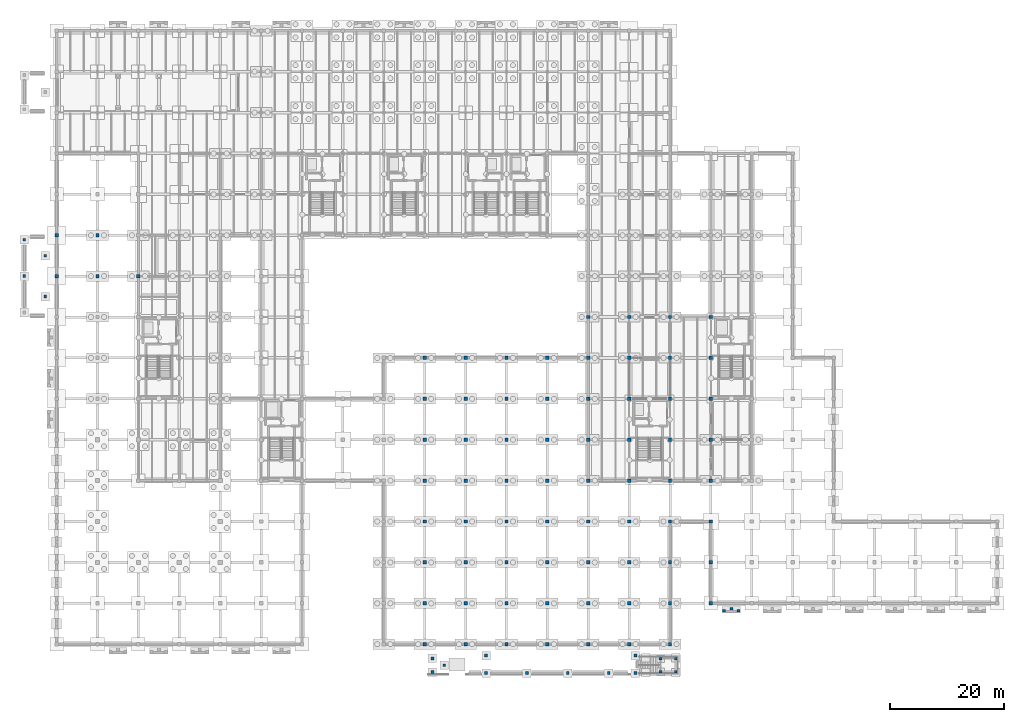
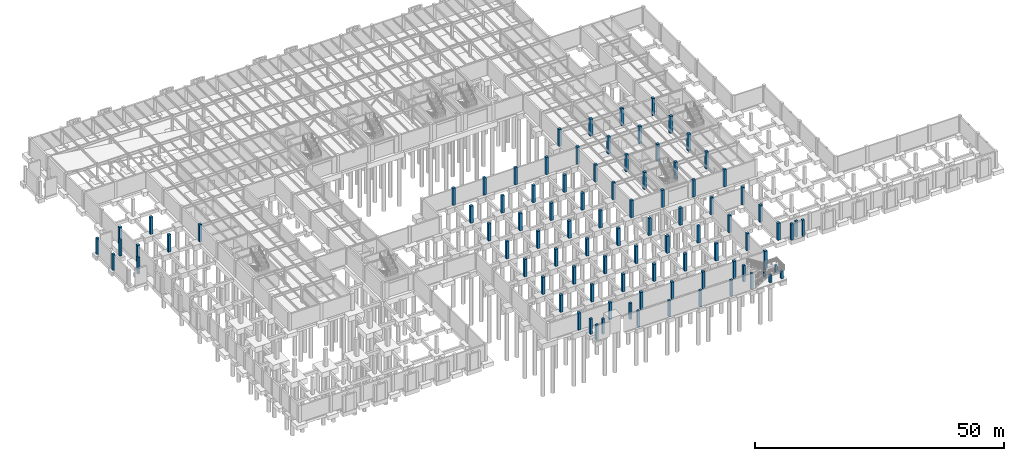
# One storey, part 13 of 46: 93 columns.
"""IFC4 building model written with IfcOpenShell, lengths in metres."""

from ifc_helpers import new_model, si_unit, direction, frame, origin, origin_2d, place, context, subcontext, project, spatial, rectangle, extrude, material, material_profile, profile_set, type_object, element, save


model = new_model("IFC4")

# Units and contexts
model_context = context("Model", 3, precision=1e-05, world=origin(), true_north=direction((0.0, 1.0)))
body_context = subcontext(model_context, "Body", "Model", "MODEL_VIEW")
ifc_project = project(units=[si_unit("LENGTHUNIT", "METRE"), si_unit("AREAUNIT", "SQUARE_METRE"), si_unit("VOLUMEUNIT", "CUBIC_METRE"), si_unit("PLANEANGLEUNIT", "RADIAN"), si_unit("MASSUNIT", "GRAM", prefix="KILO")], contexts=[model_context])

# Site, building, storey
site_placement = place(None, origin())
site = spatial("IfcSite", under=ifc_project, at=site_placement, CompositionType="ELEMENT")
building_placement = place(site_placement, origin())
building = spatial("IfcBuilding", under=site, at=building_placement, Name="Sillqori Civic Hall", CompositionType="ELEMENT")
storey_placement = place(building_placement, frame((0.0, 0.0, -4.199951171875)))
storey = spatial("IfcBuildingStorey", under=building, at=storey_placement, Name="B01", CompositionType="ELEMENT", Elevation=-4.199951171875)

# Columns
ifc_material = material(Name="Concrete C35/45 (H35)", Category="concrete")
ifc_material_profile_1 = material_profile(ifc_material, rectangle(XDim=0.5, YDim=0.5, at=origin_2d()), Name="RC 500x500")
ifc_profile_set_1 = profile_set([ifc_material_profile_1], Name="Concrete C35/45 (H35)")
column_type_1 = type_object("IfcColumnType", Name="COL-RC500", PredefinedType="COLUMN", material=ifc_profile_set_1)
for number, where, z_axis, x_axis, name in (
    (1, (1.5, 72.0, 0.0), (0.0, 0.0, 1.0), (1.0, 0.0, 0.0), "Truck loading dock grade apron subgrade pier 2"),
    (2, (1.5, 78.39990234375, 0.0), (0.0, 0.0, 1.0), (1.0, 0.0, 0.0), "Truck loading dock grade apron subgrade pier 3"),
    (3, (5.199951171875, 68.39990234375, 0.0), (0.0, 0.0, 1.0), (1.0, 0.0, 0.0), "Truck loading dock grade apron subgrade pier 4"),
    (4, (5.199951171875, 75.60009765625, 0.0), (0.0, 0.0, 1.0), (1.0, 0.0, 0.0), "Truck loading dock grade apron subgrade pier 5"),
    (5, (82.800048828125, 2.10009765625, 0.0), (0.0, 0.0, 1.0), (1.0, 0.0, 0.0), "Forecourt accessible arrival deck subgrade pier 1"),
    (6, (90.0, 2.10009765625, 0.0), (0.0, 0.0, 1.0), (1.0, 0.0, 0.0), "Forecourt accessible arrival deck subgrade pier 2"),
    (7, (97.199951171875, 2.10009765625, 0.0), (0.0, 0.0, 1.0), (1.0, 0.0, 0.0), "Forecourt accessible arrival deck subgrade pier 3"),
    (8, (104.39990234375, 2.10009765625, 0.0), (0.0, 0.0, 1.0), (1.0, 0.0, 0.0), "Forecourt accessible arrival deck subgrade pier 4"),
    (9, (109.10009765625, 2.10009765625, 0.0), (0.0, 0.0, 1.0), (1.0, 0.0, 0.0), "Forecourt accessible arrival deck subgrade pier 5"),
    (10, (109.10009765625, 5.199951171875, 0.0), (0.0, 0.0, 1.0), (1.0, 0.0, 0.0), "Forecourt accessible arrival deck subgrade pier 6"),
    (11, (82.800048828125, 5.199951171875, 0.0), (0.0, 0.0, 1.0), (1.0, 0.0, 0.0), "Forecourt accessible arrival deck subgrade pier 7"),
):
    element("IfcColumn", number, at=place(storey_placement, frame(where, z_axis=z_axis, x_axis=x_axis)), inside=storey, type_object=column_type_1, Name=name, PredefinedType="COLUMN", context=body_context, shape_type="SweptSolid", body=[
        extrude(rectangle(XDim=0.5, YDim=0.5, at=origin_2d()), origin(), (0.0, 0.0, 1.0), 3.97998046875),
    ])
for number, where, z_axis, x_axis, name in (
    (12, (73.35009765625, 2.300048828125, 0.0), (0.0, 0.0, 1.0), (1.0, 0.0, 0.0), "Forecourt ramp base & lower landing subgrade pier 1"),
    (13, (73.35009765625, 4.699951171875, 0.0), (0.0, 0.0, 1.0), (1.0, 0.0, 0.0), "Forecourt ramp base & lower landing subgrade pier 2"),
    (14, (75.449951171875, 3.5, 0.0), (0.0, 0.0, 1.0), (1.0, 0.0, 0.0), "Forecourt ramp base & lower landing subgrade pier 3"),
):
    element("IfcColumn", number, at=place(storey_placement, frame(where, z_axis=z_axis, x_axis=x_axis)), inside=storey, type_object=column_type_1, Name=name, PredefinedType="COLUMN", context=body_context, shape_type="SweptSolid", body=[
        extrude(rectangle(XDim=0.5, YDim=0.5, at=origin_2d()), origin(), (0.0, 0.0, 1.0), 3.739990234375),
    ])
for number, where, z_axis, x_axis, name in (
    (15, (124.719970703125, 13.080078125, 0.0), (0.0, 0.0, 1.0), (1.0, 0.0, 0.0), "Members Library West Entrance subgrade pier 1"),
    (16, (127.280029296875, 13.080078125, 0.0), (0.0, 0.0, 1.0), (1.0, 0.0, 0.0), "Members Library West Entrance subgrade pier 2"),
    (17, (126.0, 13.43994140625, 0.0), (0.0, 0.0, 1.0), (1.0, 0.0, 0.0), "Members Library West Entrance subgrade pier 3"),
):
    element("IfcColumn", number, at=place(storey_placement, frame(where, z_axis=z_axis, x_axis=x_axis)), inside=storey, type_object=column_type_1, Name=name, PredefinedType="COLUMN", context=body_context, shape_type="SweptSolid", body=[
        extrude(rectangle(XDim=0.5, YDim=0.5, at=origin_2d()), origin(), (0.0, 0.0, 1.0), 3.97998046875),
    ])
for number, where, z_axis, x_axis, name in (
    (18, (113.550048828125, 2.35009765625, 0.0), (0.0, 0.0, 1.0), (1.0, 0.0, 0.0), "Forecourt exterior stair landing pier 1"),
    (19, (113.550048828125, 4.64990234375, 0.0), (0.0, 0.0, 1.0), (1.0, 0.0, 0.0), "Forecourt exterior stair landing pier 2"),
    (20, (116.199951171875, 2.35009765625, 0.0), (0.0, 0.0, 1.0), (1.0, 0.0, 0.0), "Forecourt exterior stair landing pier 3"),
    (21, (116.199951171875, 4.64990234375, 0.0), (0.0, 0.0, 1.0), (1.0, 0.0, 0.0), "Forecourt exterior stair landing pier 4"),
):
    element("IfcColumn", number, at=place(storey_placement, frame(where, z_axis=z_axis, x_axis=x_axis)), inside=storey, type_object=column_type_1, Name=name, PredefinedType="COLUMN", context=body_context, shape_type="SweptSolid", body=[
        extrude(rectangle(XDim=0.5, YDim=0.5, at=origin_2d()), origin(), (0.0, 0.0, 1.0), 1.89990234375),
    ])
ifc_material_profile_2 = material_profile(ifc_material, rectangle(XDim=0.60009765625, YDim=0.60009765625, at=origin_2d()), Name="RC 600x600")
ifc_profile_set_2 = profile_set([ifc_material_profile_2], Name="Concrete C35/45 (H35)")
column_type_2 = type_object("IfcColumnType", Name="COL-RC600", PredefinedType="COLUMN", material=ifc_profile_set_2)
for number, where, z_axis, x_axis, name in (
    (22, (7.199951171875, 72.0, 0.0), (0.0, 0.0, 1.0), (1.0, 0.0, 0.0), "B01 column 1-10"),
    (23, (7.199951171875, 79.199951171875, 0.0), (0.0, 0.0, 1.0), (1.0, 0.0, 0.0), "B01 column 1-11"),
    (24, (14.39990234375, 72.0, 0.0), (0.0, 0.0, 1.0), (1.0, 0.0, 0.0), "B01 column 2-10"),
    (25, (14.39990234375, 79.199951171875, 0.0), (0.0, 0.0, 1.0), (1.0, 0.0, 0.0), "B01 column 2-11"),
    (26, (21.60009765625, 72.0, 0.0), (0.0, 0.0, 1.0), (1.0, 0.0, 0.0), "B01 column 3-10"),
    (27, (72.0, 7.199951171875, 0.0), (0.0, 0.0, 1.0), (1.0, 0.0, 0.0), "B01 column 10-1"),
    (28, (72.0, 14.39990234375, 0.0), (0.0, 0.0, 1.0), (1.0, 0.0, 0.0), "B01 column 10-2"),
    (29, (72.0, 21.60009765625, 0.0), (0.0, 0.0, 1.0), (1.0, 0.0, 0.0), "B01 column 10-3"),
    (30, (72.0, 28.800048828125, 0.0), (0.0, 0.0, 1.0), (1.0, 0.0, 0.0), "B01 column 10-4"),
    (31, (72.0, 36.0, 0.0), (0.0, 0.0, 1.0), (1.0, 0.0, 0.0), "B01 column 10-5"),
    (32, (72.0, 43.199951171875, 0.0), (0.0, 0.0, 1.0), (1.0, 0.0, 0.0), "B01 column 10-6"),
    (33, (72.0, 50.39990234375, 0.0), (0.0, 0.0, 1.0), (1.0, 0.0, 0.0), "B01 column 10-7"),
    (34, (72.0, 57.60009765625, 0.0), (0.0, 0.0, 1.0), (1.0, 0.0, 0.0), "B01 column 10-8"),
    (35, (79.199951171875, 7.199951171875, 0.0), (0.0, 0.0, 1.0), (1.0, 0.0, 0.0), "B01 column 11-1"),
    (36, (79.199951171875, 14.39990234375, 0.0), (0.0, 0.0, 1.0), (1.0, 0.0, 0.0), "B01 column 11-2"),
    (37, (79.199951171875, 21.60009765625, 0.0), (0.0, 0.0, 1.0), (1.0, 0.0, 0.0), "B01 column 11-3"),
    (38, (79.199951171875, 28.800048828125, 0.0), (0.0, 0.0, 1.0), (1.0, 0.0, 0.0), "B01 column 11-4"),
    (39, (79.199951171875, 36.0, 0.0), (0.0, 0.0, 1.0), (1.0, 0.0, 0.0), "B01 column 11-5"),
    (40, (79.199951171875, 43.199951171875, 0.0), (0.0, 0.0, 1.0), (1.0, 0.0, 0.0), "B01 column 11-6"),
    (41, (79.199951171875, 50.39990234375, 0.0), (0.0, 0.0, 1.0), (1.0, 0.0, 0.0), "B01 column 11-7"),
    (42, (79.199951171875, 57.60009765625, 0.0), (0.0, 0.0, 1.0), (1.0, 0.0, 0.0), "B01 column 11-8"),
    (43, (86.39990234375, 7.199951171875, 0.0), (0.0, 0.0, 1.0), (1.0, 0.0, 0.0), "B01 column 12-1"),
    (44, (86.39990234375, 14.39990234375, 0.0), (0.0, 0.0, 1.0), (1.0, 0.0, 0.0), "B01 column 12-2"),
    (45, (86.39990234375, 21.60009765625, 0.0), (0.0, 0.0, 1.0), (1.0, 0.0, 0.0), "B01 column 12-3"),
    (46, (86.39990234375, 28.800048828125, 0.0), (0.0, 0.0, 1.0), (1.0, 0.0, 0.0), "B01 column 12-4"),
    (47, (86.39990234375, 36.0, 0.0), (0.0, 0.0, 1.0), (1.0, 0.0, 0.0), "B01 column 12-5"),
    (48, (86.39990234375, 43.199951171875, 0.0), (0.0, 0.0, 1.0), (1.0, 0.0, 0.0), "B01 column 12-6"),
    (49, (86.39990234375, 50.39990234375, 0.0), (0.0, 0.0, 1.0), (1.0, 0.0, 0.0), "B01 column 12-7"),
    (50, (86.39990234375, 57.60009765625, 0.0), (0.0, 0.0, 1.0), (1.0, 0.0, 0.0), "B01 column 12-8"),
    (51, (93.60009765625, 7.199951171875, 0.0), (0.0, 0.0, 1.0), (1.0, 0.0, 0.0), "B01 column 13-1"),
    (52, (93.60009765625, 14.39990234375, 0.0), (0.0, 0.0, 1.0), (1.0, 0.0, 0.0), "B01 column 13-2"),
    (53, (93.60009765625, 21.60009765625, 0.0), (0.0, 0.0, 1.0), (1.0, 0.0, 0.0), "B01 column 13-3"),
    (54, (93.60009765625, 28.800048828125, 0.0), (0.0, 0.0, 1.0), (1.0, 0.0, 0.0), "B01 column 13-4"),
    (55, (93.60009765625, 36.0, 0.0), (0.0, 0.0, 1.0), (1.0, 0.0, 0.0), "B01 column 13-5"),
    (56, (93.60009765625, 43.199951171875, 0.0), (0.0, 0.0, 1.0), (1.0, 0.0, 0.0), "B01 column 13-6"),
    (57, (93.60009765625, 50.39990234375, 0.0), (0.0, 0.0, 1.0), (1.0, 0.0, 0.0), "B01 column 13-7"),
    (58, (93.60009765625, 57.60009765625, 0.0), (0.0, 0.0, 1.0), (1.0, 0.0, 0.0), "B01 column 13-8"),
    (59, (100.800048828125, 7.199951171875, 0.0), (0.0, 0.0, 1.0), (1.0, 0.0, 0.0), "B01 column 14-1"),
    (60, (100.800048828125, 14.39990234375, 0.0), (0.0, 0.0, 1.0), (1.0, 0.0, 0.0), "B01 column 14-2"),
    (61, (100.800048828125, 21.60009765625, 0.0), (0.0, 0.0, 1.0), (1.0, 0.0, 0.0), "B01 column 14-3"),
    (62, (100.800048828125, 28.800048828125, 0.0), (0.0, 0.0, 1.0), (1.0, 0.0, 0.0), "B01 column 14-4"),
    (63, (100.800048828125, 36.0, 0.0), (0.0, 0.0, 1.0), (1.0, 0.0, 0.0), "B01 column 14-5"),
    (64, (100.800048828125, 43.199951171875, 0.0), (0.0, 0.0, 1.0), (1.0, 0.0, 0.0), "B01 column 14-6"),
    (65, (100.800048828125, 50.39990234375, 0.0), (0.0, 0.0, 1.0), (1.0, 0.0, 0.0), "B01 column 14-7"),
    (66, (100.800048828125, 57.60009765625, 0.0), (0.0, 0.0, 1.0), (1.0, 0.0, 0.0), "B01 column 14-8"),
    (67, (100.800048828125, 64.800048828125, 0.0), (0.0, 0.0, 1.0), (1.0, 0.0, 0.0), "B01 column 14-9"),
    (68, (108.0, 7.199951171875, 0.0), (0.0, 0.0, 1.0), (1.0, 0.0, 0.0), "B01 column 15-1"),
    (69, (108.0, 14.39990234375, 0.0), (0.0, 0.0, 1.0), (1.0, 0.0, 0.0), "B01 column 15-2"),
    (70, (108.0, 21.60009765625, 0.0), (0.0, 0.0, 1.0), (1.0, 0.0, 0.0), "B01 column 15-3"),
    (71, (108.0, 28.800048828125, 0.0), (0.0, 0.0, 1.0), (1.0, 0.0, 0.0), "B01 column 15-4"),
    (72, (108.0, 36.0, 0.0), (0.0, 0.0, 1.0), (1.0, 0.0, 0.0), "B01 column 15-5"),
    (73, (108.0, 43.199951171875, 0.0), (0.0, 0.0, 1.0), (1.0, 0.0, 0.0), "B01 column 15-6"),
    (74, (108.0, 50.39990234375, 0.0), (0.0, 0.0, 1.0), (1.0, 0.0, 0.0), "B01 column 15-7"),
    (75, (108.0, 57.60009765625, 0.0), (0.0, 0.0, 1.0), (1.0, 0.0, 0.0), "B01 column 15-8"),
    (76, (108.0, 64.800048828125, 0.0), (0.0, 0.0, 1.0), (1.0, 0.0, 0.0), "B01 column 15-9"),
    (77, (115.199951171875, 7.199951171875, 0.0), (0.0, 0.0, 1.0), (1.0, 0.0, 0.0), "B01 column 16-1"),
    (78, (115.199951171875, 14.39990234375, 0.0), (0.0, 0.0, 1.0), (1.0, 0.0, 0.0), "B01 column 16-2"),
    (79, (115.199951171875, 21.60009765625, 0.0), (0.0, 0.0, 1.0), (1.0, 0.0, 0.0), "B01 column 16-3"),
    (80, (115.199951171875, 28.800048828125, 0.0), (0.0, 0.0, 1.0), (1.0, 0.0, 0.0), "B01 column 16-4"),
    (81, (115.199951171875, 36.0, 0.0), (0.0, 0.0, 1.0), (1.0, 0.0, 0.0), "B01 column 16-5"),
    (82, (115.199951171875, 43.199951171875, 0.0), (0.0, 0.0, 1.0), (1.0, 0.0, 0.0), "B01 column 16-6"),
    (83, (115.199951171875, 50.39990234375, 0.0), (0.0, 0.0, 1.0), (1.0, 0.0, 0.0), "B01 column 16-7"),
    (84, (115.199951171875, 57.60009765625, 0.0), (0.0, 0.0, 1.0), (1.0, 0.0, 0.0), "B01 column 16-8"),
    (85, (115.199951171875, 64.800048828125, 0.0), (0.0, 0.0, 1.0), (1.0, 0.0, 0.0), "B01 column 16-9"),
    (86, (122.39990234375, 14.39990234375, 0.0), (0.0, 0.0, 1.0), (1.0, 0.0, 0.0), "B01 column 17-2"),
    (87, (122.39990234375, 21.60009765625, 0.0), (0.0, 0.0, 1.0), (1.0, 0.0, 0.0), "B01 column 17-3"),
    (88, (122.39990234375, 28.800048828125, 0.0), (0.0, 0.0, 1.0), (1.0, 0.0, 0.0), "B01 column 17-4"),
    (89, (122.39990234375, 36.0, 0.0), (0.0, 0.0, 1.0), (1.0, 0.0, 0.0), "B01 column 17-5"),
    (90, (122.39990234375, 43.199951171875, 0.0), (0.0, 0.0, 1.0), (1.0, 0.0, 0.0), "B01 column 17-6"),
    (91, (122.39990234375, 50.39990234375, 0.0), (0.0, 0.0, 1.0), (1.0, 0.0, 0.0), "B01 column 17-7"),
    (92, (122.39990234375, 57.60009765625, 0.0), (0.0, 0.0, 1.0), (1.0, 0.0, 0.0), "B01 column 17-8"),
    (93, (122.39990234375, 64.800048828125, 0.0), (0.0, 0.0, 1.0), (1.0, 0.0, 0.0), "B01 column 17-9"),
):
    element("IfcColumn", number, at=place(storey_placement, frame(where, z_axis=z_axis, x_axis=x_axis)), inside=storey, type_object=column_type_2, Name=name, PredefinedType="COLUMN", context=body_context, shape_type="SweptSolid", body=[
        extrude(rectangle(XDim=0.60009765625, YDim=0.60009765625, at=origin_2d()), origin(), (0.0, 0.0, 1.0), 4.199951171875),
    ])

save(model, "model.ifc")
